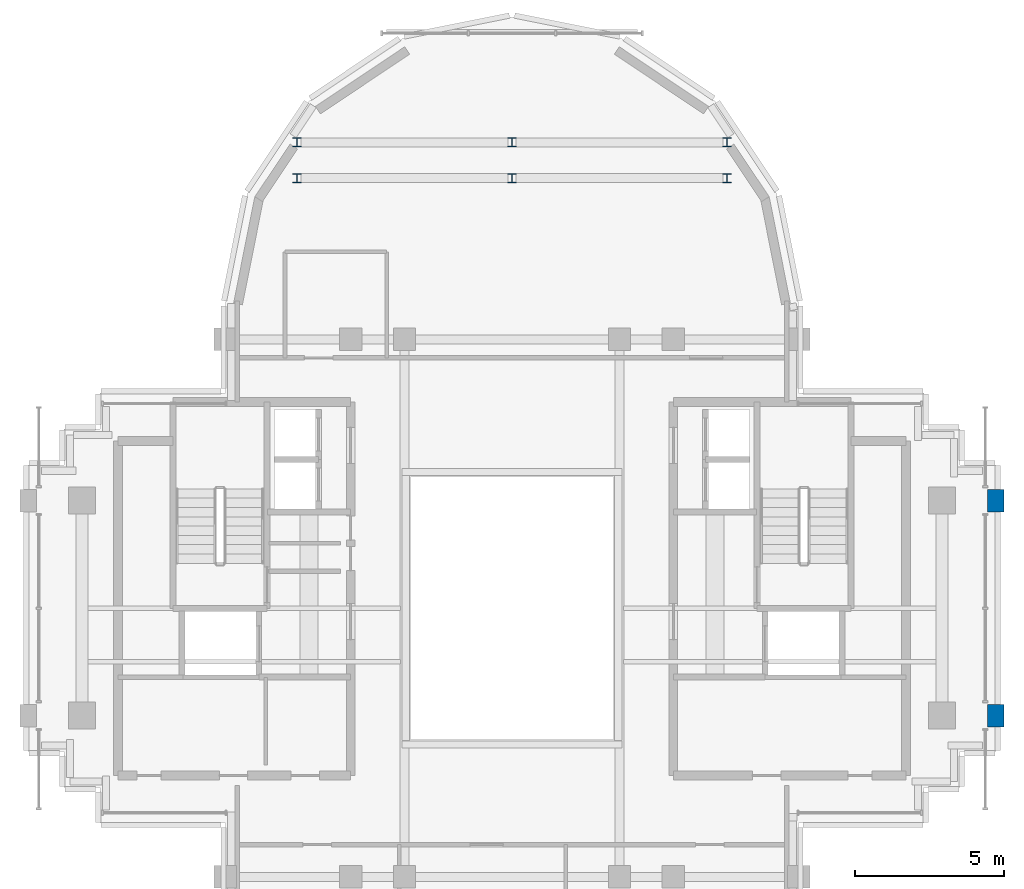
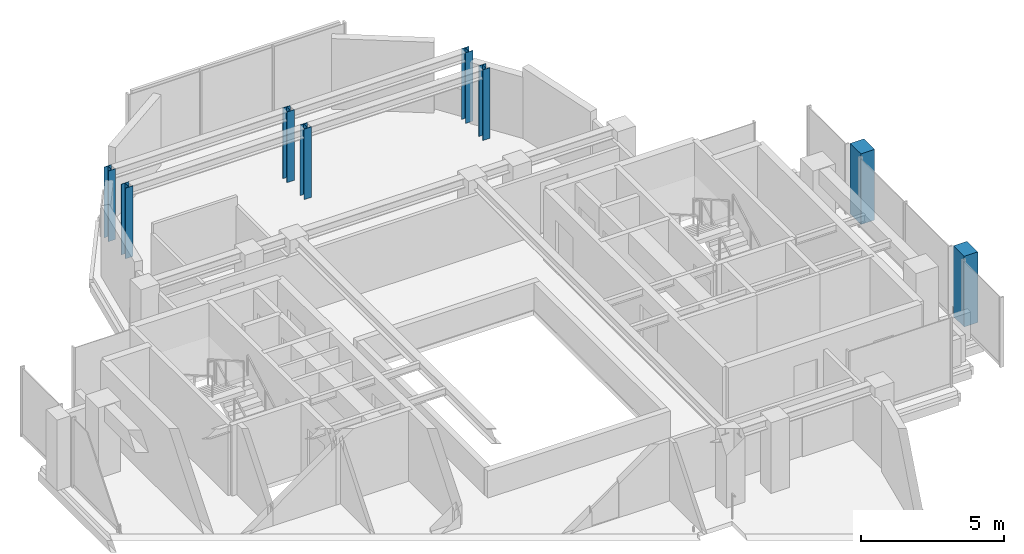
# One storey, part 2 of 11: 8 columns.
"""IFC4 building model written with IfcOpenShell, lengths in metres."""

from ifc_helpers import new_model, si_unit, direction, frame, origin, origin_2d, place, context, subcontext, project, spatial, rectangle, i_section, extrude, source, transform, mapped, material, material_profile, profile_set, type_object, element, save


model = new_model("IFC4")

# Units and contexts
model_context = context("Model", 3, precision=1e-05, world=origin(), true_north=direction((0.0, 1.0)))
body_context = subcontext(model_context, "Body", "Model", "MODEL_VIEW")
ifc_project = project(units=[si_unit("LENGTHUNIT", "METRE"), si_unit("AREAUNIT", "SQUARE_METRE"), si_unit("VOLUMEUNIT", "CUBIC_METRE"), si_unit("PLANEANGLEUNIT", "RADIAN"), si_unit("MASSUNIT", "GRAM", prefix="KILO")], contexts=[model_context])

# Site, building, storey
site_placement = place(None, origin())
site = spatial("IfcSite", under=ifc_project, at=site_placement, CompositionType="ELEMENT")
building_placement = place(site_placement, origin())
building = spatial("IfcBuilding", under=site, at=building_placement, Name="Keilestroom Media Tower", CompositionType="ELEMENT")
storey_placement = place(building_placement, frame((0.0, 0.0, 255.60009765625)))
storey = spatial("IfcBuildingStorey", under=building, at=storey_placement, Name="L71", CompositionType="ELEMENT", Elevation=255.60009765625)

# Columns
ifc_material_1 = material(Name="Precast concrete C40/50", Category="concrete")
ifc_material_profile_1 = material_profile(ifc_material_1, rectangle(XDim=0.550048828125, YDim=0.75, at=origin_2d()), Name="PC 750x550")
ifc_profile_set_1 = profile_set([ifc_material_profile_1], Name="Precast concrete C40/50")
column_type_1 = type_object("IfcColumnType", Name="Structural-Column-PC-750x550", PredefinedType="COLUMN", material=ifc_profile_set_1)
shared_shape_1 = source(origin(), body_context, "Body", "SweptSolid", [
    extrude(rectangle(XDim=0.550048828125, YDim=0.75, at=origin_2d()), origin(), (0.0, 0.0, 1.0), 3.010009765625),
])
for number, where, z_axis, x_axis, name in (
    (1, (16.199951171875, -3.60009765625, 0.0), (0.0, 0.0, 1.0), (1.0, 0.0, 0.0), "L71 Column PC-3 (+16.2,-3.6)"),
    (2, (16.199951171875, 3.60009765625, 0.0), (0.0, 0.0, 1.0), (1.0, 0.0, 0.0), "L71 Column PC-3 (+16.2,+3.6)"),
):
    element("IfcColumn", number, at=place(storey_placement, frame(where, z_axis=z_axis, x_axis=x_axis)), inside=storey, type_object=column_type_1, Name=name, PredefinedType="COLUMN", context=body_context, shape_type="MappedRepresentation", body=[
        mapped(shared_shape_1, transform((0.0, 0.0, 0.0), x_axis=(1.0, 0.0, 0.0), y_axis=(0.0, 1.0, 0.0), z_axis=(0.0, 0.0, 1.0), scale=1.0)),
    ])
ifc_material_2 = material(Name="Steel S355", Category="steel")
ifc_material_profile_2 = material_profile(ifc_material_2, i_section(OverallWidth=0.300048828125, OverallDepth=0.300048828125, WebThickness=0.010986328125, FlangeThickness=0.01904296875, at=origin_2d()), Name="HEB 300")
ifc_profile_set_2 = profile_set([ifc_material_profile_2], Name="Steel S355")
column_type_2 = type_object("IfcColumnType", Name="Structural-Column-HEB-300", PredefinedType="COLUMN", material=ifc_profile_set_2)
shared_shape_2 = source(origin(), body_context, "Body", "SweptSolid", [
    extrude(i_section(OverallWidth=0.300048828125, OverallDepth=0.300048828125, WebThickness=0.010986328125, FlangeThickness=0.01904296875, at=origin_2d()), origin(), (0.0, 0.0, 1.0), 3.010009765625),
])
for number, where, z_axis, x_axis, name in (
    (3, (-7.199951171875, 14.39990234375, 0.0), (0.0, 0.0, 1.0), (1.0, 0.0, 0.0), "L71 Column SC-5 (-7.2,+14.4)"),
    (4, (-7.199951171875, 15.60009765625, 0.0), (0.0, 0.0, 1.0), (1.0, 0.0, 0.0), "L71 Column SC-5 (-7.2,+15.6)"),
    (5, (0.0, 14.39990234375, 0.0), (0.0, 0.0, 1.0), (1.0, 0.0, 0.0), "L71 Column SC-5 (+0.0,+14.4)"),
    (6, (0.0, 15.60009765625, 0.0), (0.0, 0.0, 1.0), (1.0, 0.0, 0.0), "L71 Column SC-5 (+0.0,+15.6)"),
    (7, (7.199951171875, 14.39990234375, 0.0), (0.0, 0.0, 1.0), (1.0, 0.0, 0.0), "L71 Column SC-5 (+7.2,+14.4)"),
    (8, (7.199951171875, 15.60009765625, 0.0), (0.0, 0.0, 1.0), (1.0, 0.0, 0.0), "L71 Column SC-5 (+7.2,+15.6)"),
):
    element("IfcColumn", number, at=place(storey_placement, frame(where, z_axis=z_axis, x_axis=x_axis)), inside=storey, type_object=column_type_2, Name=name, PredefinedType="COLUMN", context=body_context, shape_type="MappedRepresentation", body=[
        mapped(shared_shape_2, transform((0.0, 0.0, 0.0), x_axis=(1.0, 0.0, 0.0), y_axis=(0.0, 1.0, 0.0), z_axis=(0.0, 0.0, 1.0), scale=1.0)),
    ])

save(model, "model.ifc")
